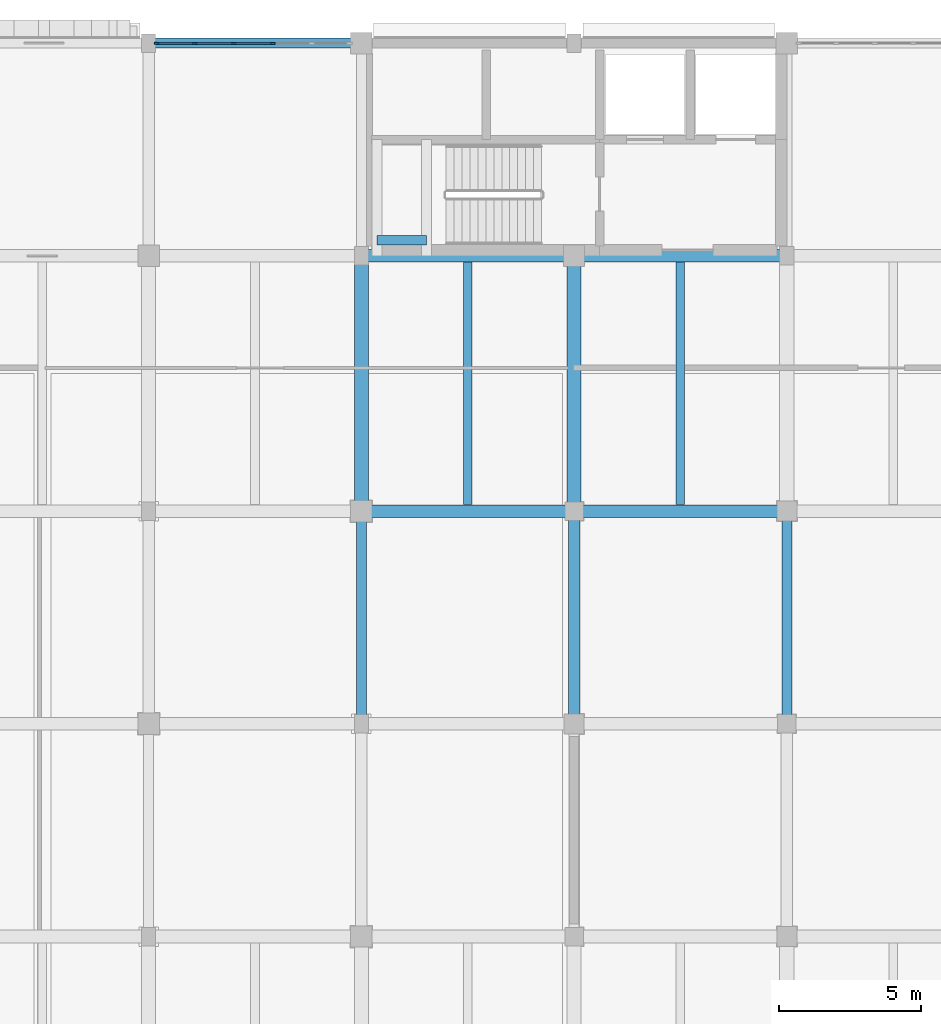
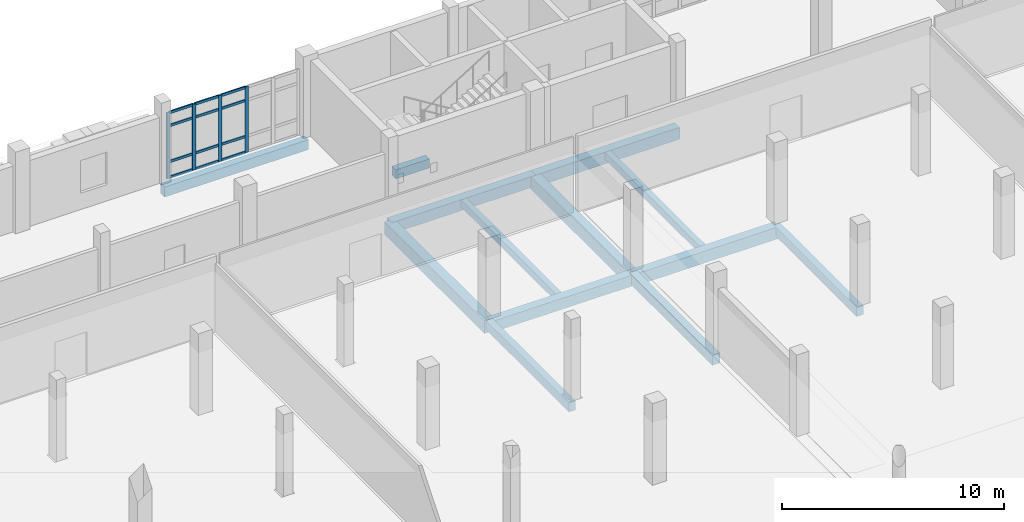
# One storey, part 54 of 128: 16 members, 13 beams, 1 element without a shape of its own.
"""IFC4 building model written with IfcOpenShell, lengths in metres."""

from ifc_helpers import new_model, si_unit, direction, frame, origin, origin_2d, place, context, subcontext, project, spatial, rectangle, extrude, material, layer, layer_set, material_profile, profile_set, type_object, element, aggregate, save


model = new_model("IFC4")

# Units and contexts
model_context = context("Model", 3, precision=1e-05, world=origin(), true_north=direction((0.0, 1.0)))
body_context = subcontext(model_context, "Body", "Model", "MODEL_VIEW")
ifc_project = project(units=[si_unit("LENGTHUNIT", "METRE"), si_unit("AREAUNIT", "SQUARE_METRE"), si_unit("VOLUMEUNIT", "CUBIC_METRE"), si_unit("PLANEANGLEUNIT", "RADIAN"), si_unit("MASSUNIT", "GRAM", prefix="KILO")], contexts=[model_context])

# Site, building, storey
site_placement = place(None, origin())
site = spatial("IfcSite", under=ifc_project, at=site_placement, CompositionType="ELEMENT")
building_placement = place(site_placement, origin())
building = spatial("IfcBuilding", under=site, at=building_placement, Name="Dalvernix Boulevard General Hospital", CompositionType="ELEMENT")
storey_placement = place(building_placement, frame((0.0, 0.0, 4.800048828125)))
storey = spatial("IfcBuildingStorey", under=building, at=storey_placement, Name="L01", CompositionType="ELEMENT", Elevation=4.800048828125)

# Beams
ifc_material_1 = material(Name="Concrete C35/45", Category="concrete")
ifc_material_profile_1 = material_profile(ifc_material_1, rectangle(XDim=0.5, YDim=0.699951171875, at=origin_2d()), Name="RCB 500x700")
ifc_profile_set_1 = profile_set([ifc_material_profile_1], Name="Concrete C35/45")
beam_type_1 = type_object("IfcBeamType", Name="BM-B-01-I", PredefinedType="BEAM", material=ifc_profile_set_1)
for number, where, z_axis, x_axis, name in (
    (1, (97.5, 100.5, -0.650146484375), (0.0, 1.0, 0.0), (-1.0, 0.0, 0.0), "L01 N-S girder 14:P-Q"),
    (2, (105.0, 100.5, -0.650146484375), (0.0, 1.0, 0.0), (-1.0, 0.0, 0.0), "L01 N-S girder 15:P-Q"),
):
    element("IfcBeam", number, at=place(storey_placement, frame(where, z_axis=z_axis, x_axis=x_axis)), inside=storey, type_object=beam_type_1, Name=name, PredefinedType="BEAM", context=body_context, shape_type="SweptSolid", body=[
        extrude(rectangle(XDim=0.5, YDim=0.699951171875, at=origin_2d()), origin(), (0.0, 0.0, 1.0), 9.0),
    ])
ifc_material_profile_2 = material_profile(ifc_material_1, rectangle(XDim=0.449951171875, YDim=0.64990234375, at=origin_2d()), Name="RCB 450x650")
ifc_profile_set_2 = profile_set([ifc_material_profile_2], Name="Concrete C35/45")
beam_type_2 = type_object("IfcBeamType", Name="BM-B-03-I", PredefinedType="BEAM", material=ifc_profile_set_2)
for number, where, z_axis, x_axis, name in (
    (3, (105.0, 100.5, -0.625), (1.0, 0.0, 0.0), (0.0, 1.0, 0.0), "L01 E-W girder P:15-16"),
    (4, (105.0, 109.5, -0.625), (1.0, 0.0, 0.0), (0.0, 1.0, 0.0), "L01 E-W girder Q:15-16"),
):
    element("IfcBeam", number, at=place(storey_placement, frame(where, z_axis=z_axis, x_axis=x_axis)), inside=storey, type_object=beam_type_2, Name=name, PredefinedType="BEAM", context=body_context, shape_type="SweptSolid", body=[
        extrude(rectangle(XDim=0.449951171875, YDim=0.64990234375, at=origin_2d()), origin(), (0.0, 0.0, 1.0), 7.5),
    ])
ifc_material_profile_3 = material_profile(ifc_material_1, rectangle(XDim=0.449951171875, YDim=0.60009765625, at=origin_2d()), Name="RCB 450x600")
ifc_profile_set_3 = profile_set([ifc_material_profile_3], Name="Concrete C35/45")
beam_type_3 = type_object("IfcBeamType", Name="BM-B-04-I", PredefinedType="BEAM", material=ifc_profile_set_3)
for number, where, z_axis, x_axis, name in (
    (5, (97.5, 100.5, -0.60009765625), (1.0, 0.0, 0.0), (0.0, 1.0, 0.0), "L01 E-W girder P:14-15"),
    (6, (97.5, 109.5, -0.60009765625), (1.0, 0.0, 0.0), (0.0, 1.0, 0.0), "L01 E-W girder Q:14-15"),
):
    element("IfcBeam", number, at=place(storey_placement, frame(where, z_axis=z_axis, x_axis=x_axis)), inside=storey, type_object=beam_type_3, Name=name, PredefinedType="BEAM", context=body_context, shape_type="SweptSolid", body=[
        extrude(rectangle(XDim=0.449951171875, YDim=0.60009765625, at=origin_2d()), origin(), (0.0, 0.0, 1.0), 7.5),
    ])
ifc_material_profile_4 = material_profile(ifc_material_1, rectangle(XDim=0.39990234375, YDim=0.550048828125, at=origin_2d()), Name="RCB 400x550")
ifc_profile_set_4 = profile_set([ifc_material_profile_4], Name="Concrete C35/45")
beam_type_4 = type_object("IfcBeamType", Name="BM-B-06-I", PredefinedType="BEAM", material=ifc_profile_set_4)
beam_1_placement = place(storey_placement, frame((105.0, 93.0, -0.574951171875), z_axis=(0.0, 1.0, 0.0), x_axis=(-1.0, 0.0, 0.0)))
element("IfcBeam", 7, at=beam_1_placement, inside=storey, type_object=beam_type_4, Name="L01 N-S girder 15:N-P", PredefinedType="BEAM", context=body_context, shape_type="SweptSolid", body=[
    extrude(rectangle(XDim=0.39990234375, YDim=0.550048828125, at=origin_2d()), origin(), (0.0, 0.0, 1.0), 7.5),
])
ifc_material_profile_5 = material_profile(ifc_material_1, rectangle(XDim=0.35009765625, YDim=0.5, at=origin_2d()), Name="RCB 350x500")
ifc_profile_set_5 = profile_set([ifc_material_profile_5], Name="Concrete C35/45")
beam_type_5 = type_object("IfcBeamType", Name="BM-B-08", PredefinedType="BEAM", material=ifc_profile_set_5)
beam_2_placement = place(storey_placement, frame((98.050048828125, 110.050048828125, 1.800048828125), z_axis=(1.0, 0.0, 0.0), x_axis=(0.0, 1.0, 0.0)))
element("IfcBeam", 8, at=beam_2_placement, inside=storey, type_object=beam_type_5, Name="L01 C4 stair half-landing tie beam", PredefinedType="BEAM", context=body_context, shape_type="SweptSolid", body=[
    extrude(rectangle(XDim=0.35009765625, YDim=0.5, at=origin_2d()), origin(), (0.0, 0.0, 1.0), 1.75),
])
ifc_material_profile_6 = material_profile(ifc_material_1, rectangle(XDim=0.35009765625, YDim=0.5, at=origin_2d()), Name="RCB 350x500")
ifc_profile_set_6 = profile_set([ifc_material_profile_6], Name="Concrete C35/45")
beam_type_6 = type_object("IfcBeamType", Name="BM-B-08-I", PredefinedType="BEAM", material=ifc_profile_set_6)
for number, where, z_axis, x_axis, name in (
    (9, (97.5, 93.0, -0.550048828125), (0.0, 1.0, 0.0), (-1.0, 0.0, 0.0), "L01 N-S girder 14:N-P"),
    (10, (112.5, 93.0, -0.550048828125), (0.0, 1.0, 0.0), (-1.0, 0.0, 0.0), "L01 N-S girder 16:N-P"),
):
    element("IfcBeam", number, at=place(storey_placement, frame(where, z_axis=z_axis, x_axis=x_axis)), inside=storey, type_object=beam_type_6, Name=name, PredefinedType="BEAM", context=body_context, shape_type="SweptSolid", body=[
        extrude(rectangle(XDim=0.35009765625, YDim=0.5, at=origin_2d()), origin(), (0.0, 0.0, 1.0), 7.5),
    ])
ifc_material_profile_7 = material_profile(ifc_material_1, rectangle(XDim=0.300048828125, YDim=0.39990234375, at=origin_2d()), Name="RCB 300x400")
ifc_profile_set_7 = profile_set([ifc_material_profile_7], Name="Concrete C35/45")
beam_type_7 = type_object("IfcBeamType", Name="BM-JB-01", PredefinedType="JOIST", material=ifc_profile_set_7)
for number, where, z_axis, x_axis, name in (
    (11, (101.25, 100.72509765625, -0.5), (0.0, 1.0, 0.0), (-1.0, 0.0, 0.0), "L01 secondary floor beam 14-P"),
    (12, (108.75, 100.72509765625, -0.5), (0.0, 1.0, 0.0), (-1.0, 0.0, 0.0), "L01 secondary floor beam 15-P"),
):
    element("IfcBeam", number, at=place(storey_placement, frame(where, z_axis=z_axis, x_axis=x_axis)), inside=storey, type_object=beam_type_7, Name=name, PredefinedType="JOIST", context=body_context, shape_type="SweptSolid", body=[
        extrude(rectangle(XDim=0.300048828125, YDim=0.39990234375, at=origin_2d()), origin(), (0.0, 0.0, 1.0), 8.5498046875),
    ])
ifc_material_profile_8 = material_profile(ifc_material_1, rectangle(XDim=0.35009765625, YDim=0.550048828125, at=origin_2d()), Name="RCB 350x550")
ifc_profile_set_8 = profile_set([ifc_material_profile_8], Name="Concrete C35/45")
beam_type_8 = type_object("IfcBeamType", Name="BM-SB-01-E", PredefinedType="SPANDREL", material=ifc_profile_set_8)
beam_3_placement = place(storey_placement, frame((90.0, 117.0, -0.574951171875), z_axis=(1.0, 0.0, 0.0), x_axis=(0.0, 1.0, 0.0)))
element("IfcBeam", 13, at=beam_3_placement, inside=storey, type_object=beam_type_8, Name="L01 E-W girder R:13-14", PredefinedType="SPANDREL", context=body_context, shape_type="SweptSolid", body=[
    extrude(rectangle(XDim=0.35009765625, YDim=0.550048828125, at=origin_2d()), origin(), (0.0, 0.0, 1.0), 7.5),
])

# Curtain wall, members
ifc_material_2 = material(Name="Thermally broken aluminium and solar-control glass curtain wall", Category="aluminium")
ifc_layer = layer(ifc_material_2, 0.179931640625)
ifc_layer_set = layer_set([ifc_layer], Name="Thermally broken aluminium and solar-control glass curtain wall (CW-CW-B-69x36)")
curtain_wall_type = type_object("IfcCurtainWallType", Name="CW-CW-B-69x36", PredefinedType="USERDEFINED", material=ifc_layer_set)
curtain_wall_placement = place(storey_placement, origin())
curtain_wall = element("IfcCurtainWall", 14, at=curtain_wall_placement, inside=storey, type_object=curtain_wall_type, Name="L01 curtain wall CW-B-69x36 12-15", ObjectType="GLAZED FACADE", PredefinedType="USERDEFINED")
ifc_material_3 = material(Name="Aluminium EN AW-6060", Category="aluminium")
ifc_material_profile_9 = material_profile(ifc_material_3, rectangle(XDim=0.06494140625, YDim=0.179931640625, at=origin_2d()), Name="ALU MULL 65x180")
ifc_profile_set_9 = profile_set([ifc_material_profile_9], Name="Aluminium EN AW-6060")
member_type_1 = type_object("IfcMemberType", Name="MEM-CW-M2", PredefinedType="MULLION", material=ifc_profile_set_9)
member_1_placement = place(storey_placement, frame((90.29248046875, 117.0, 0.0), z_axis=(0.0, 0.0, 1.0), x_axis=(0.0, 1.0, 0.0)))
member_1 = element("IfcMember", 15, at=member_1_placement, type_object=member_type_1, Name="CW-B-69x36 mullion 1", PredefinedType="MULLION", context=body_context, shape_type="SweptSolid", body=[
    extrude(rectangle(XDim=0.06494140625, YDim=0.179931640625, at=origin_2d()), origin(), (0.0, 0.0, 1.0), 3.6298828125),
])
member_2_placement = place(storey_placement, frame((91.631103515625, 117.0, 0.0), z_axis=(0.0, 0.0, 1.0), x_axis=(0.0, 1.0, 0.0)))
member_2 = element("IfcMember", 16, at=member_2_placement, type_object=member_type_1, Name="CW-B-69x36 mullion 2", PredefinedType="MULLION", context=body_context, shape_type="SweptSolid", body=[
    extrude(rectangle(XDim=0.06494140625, YDim=0.179931640625, at=origin_2d()), origin(), (0.0, 0.0, 1.0), 3.6298828125),
])
member_3_placement = place(storey_placement, frame((93.001953125, 117.0, 0.0), z_axis=(0.0, 0.0, 1.0), x_axis=(0.0, 1.0, 0.0)))
member_3 = element("IfcMember", 17, at=member_3_placement, type_object=member_type_1, Name="CW-B-69x36 mullion 3", PredefinedType="MULLION", context=body_context, shape_type="SweptSolid", body=[
    extrude(rectangle(XDim=0.06494140625, YDim=0.179931640625, at=origin_2d()), origin(), (0.0, 0.0, 1.0), 3.6298828125),
])
member_4_placement = place(storey_placement, frame((94.373046875, 117.0, 0.0), z_axis=(0.0, 0.0, 1.0), x_axis=(0.0, 1.0, 0.0)))
member_4 = element("IfcMember", 18, at=member_4_placement, type_object=member_type_1, Name="CW-B-69x36 mullion 4", PredefinedType="MULLION", context=body_context, shape_type="SweptSolid", body=[
    extrude(rectangle(XDim=0.06494140625, YDim=0.179931640625, at=origin_2d()), origin(), (0.0, 0.0, 1.0), 3.6298828125),
])
ifc_material_profile_10 = material_profile(ifc_material_3, rectangle(XDim=0.06494140625, YDim=0.139892578125, at=origin_2d()), Name="ALU TRAN 65x140")
ifc_profile_set_10 = profile_set([ifc_material_profile_10], Name="Aluminium EN AW-6060")
member_type_2 = type_object("IfcMemberType", Name="MEM-CW-T2", PredefinedType="USERDEFINED", material=ifc_profile_set_10)
member_5_placement = place(storey_placement, frame((90.324951171875, 117.0, 0.032470703125), z_axis=(1.0, 0.0, 0.0), x_axis=(0.0, 1.0, 0.0)))
member_5 = element("IfcMember", 19, at=member_5_placement, type_object=member_type_2, Name="CW-B-69x36 transom 1.1", ObjectType="TRANSOM", PredefinedType="USERDEFINED", context=body_context, shape_type="SweptSolid", body=[
    extrude(rectangle(XDim=0.06494140625, YDim=0.139892578125, at=origin_2d()), origin(), (0.0, 0.0, 1.0), 1.2734375),
])
member_6_placement = place(storey_placement, frame((90.324951171875, 117.0, 0.89990234375), z_axis=(1.0, 0.0, 0.0), x_axis=(0.0, 1.0, 0.0)))
member_6 = element("IfcMember", 20, at=member_6_placement, type_object=member_type_2, Name="CW-B-69x36 transom 1.2", ObjectType="TRANSOM", PredefinedType="USERDEFINED", context=body_context, shape_type="SweptSolid", body=[
    extrude(rectangle(XDim=0.06494140625, YDim=0.139892578125, at=origin_2d()), origin(), (0.0, 0.0, 1.0), 1.2734375),
])
member_7_placement = place(storey_placement, frame((90.324951171875, 117.0, 2.8798828125), z_axis=(1.0, 0.0, 0.0), x_axis=(0.0, 1.0, 0.0)))
member_7 = element("IfcMember", 21, at=member_7_placement, type_object=member_type_2, Name="CW-B-69x36 transom 1.3", ObjectType="TRANSOM", PredefinedType="USERDEFINED", context=body_context, shape_type="SweptSolid", body=[
    extrude(rectangle(XDim=0.06494140625, YDim=0.139892578125, at=origin_2d()), origin(), (0.0, 0.0, 1.0), 1.2734375),
])
member_8_placement = place(storey_placement, frame((90.324951171875, 117.0, 3.597412109375), z_axis=(1.0, 0.0, 0.0), x_axis=(0.0, 1.0, 0.0)))
member_8 = element("IfcMember", 22, at=member_8_placement, type_object=member_type_2, Name="CW-B-69x36 transom 1.4", ObjectType="TRANSOM", PredefinedType="USERDEFINED", context=body_context, shape_type="SweptSolid", body=[
    extrude(rectangle(XDim=0.06494140625, YDim=0.139892578125, at=origin_2d()), origin(), (0.0, 0.0, 1.0), 1.2734375),
])
member_9_placement = place(storey_placement, frame((91.66357421875, 117.0, 0.032470703125), z_axis=(1.0, 0.0, 0.0), x_axis=(0.0, 1.0, 0.0)))
member_9 = element("IfcMember", 23, at=member_9_placement, type_object=member_type_2, Name="CW-B-69x36 transom 2.1", ObjectType="TRANSOM", PredefinedType="USERDEFINED", context=body_context, shape_type="SweptSolid", body=[
    extrude(rectangle(XDim=0.06494140625, YDim=0.139892578125, at=origin_2d()), origin(), (0.0, 0.0, 1.0), 1.305908203125),
])
member_10_placement = place(storey_placement, frame((91.66357421875, 117.0, 0.89990234375), z_axis=(1.0, 0.0, 0.0), x_axis=(0.0, 1.0, 0.0)))
member_10 = element("IfcMember", 24, at=member_10_placement, type_object=member_type_2, Name="CW-B-69x36 transom 2.2", ObjectType="TRANSOM", PredefinedType="USERDEFINED", context=body_context, shape_type="SweptSolid", body=[
    extrude(rectangle(XDim=0.06494140625, YDim=0.139892578125, at=origin_2d()), origin(), (0.0, 0.0, 1.0), 1.305908203125),
])
member_11_placement = place(storey_placement, frame((91.66357421875, 117.0, 2.8798828125), z_axis=(1.0, 0.0, 0.0), x_axis=(0.0, 1.0, 0.0)))
member_11 = element("IfcMember", 25, at=member_11_placement, type_object=member_type_2, Name="CW-B-69x36 transom 2.3", ObjectType="TRANSOM", PredefinedType="USERDEFINED", context=body_context, shape_type="SweptSolid", body=[
    extrude(rectangle(XDim=0.06494140625, YDim=0.139892578125, at=origin_2d()), origin(), (0.0, 0.0, 1.0), 1.305908203125),
])
member_12_placement = place(storey_placement, frame((91.66357421875, 117.0, 3.597412109375), z_axis=(1.0, 0.0, 0.0), x_axis=(0.0, 1.0, 0.0)))
member_12 = element("IfcMember", 26, at=member_12_placement, type_object=member_type_2, Name="CW-B-69x36 transom 2.4", ObjectType="TRANSOM", PredefinedType="USERDEFINED", context=body_context, shape_type="SweptSolid", body=[
    extrude(rectangle(XDim=0.06494140625, YDim=0.139892578125, at=origin_2d()), origin(), (0.0, 0.0, 1.0), 1.305908203125),
])
member_13_placement = place(storey_placement, frame((93.034423828125, 117.0, 0.032470703125), z_axis=(1.0, 0.0, 0.0), x_axis=(0.0, 1.0, 0.0)))
member_13 = element("IfcMember", 27, at=member_13_placement, type_object=member_type_2, Name="CW-B-69x36 transom 3.1", ObjectType="TRANSOM", PredefinedType="USERDEFINED", context=body_context, shape_type="SweptSolid", body=[
    extrude(rectangle(XDim=0.06494140625, YDim=0.139892578125, at=origin_2d()), origin(), (0.0, 0.0, 1.0), 1.30615234375),
])
member_14_placement = place(storey_placement, frame((93.034423828125, 117.0, 0.89990234375), z_axis=(1.0, 0.0, 0.0), x_axis=(0.0, 1.0, 0.0)))
member_14 = element("IfcMember", 28, at=member_14_placement, type_object=member_type_2, Name="CW-B-69x36 transom 3.2", ObjectType="TRANSOM", PredefinedType="USERDEFINED", context=body_context, shape_type="SweptSolid", body=[
    extrude(rectangle(XDim=0.06494140625, YDim=0.139892578125, at=origin_2d()), origin(), (0.0, 0.0, 1.0), 1.30615234375),
])
member_15_placement = place(storey_placement, frame((93.034423828125, 117.0, 2.8798828125), z_axis=(1.0, 0.0, 0.0), x_axis=(0.0, 1.0, 0.0)))
member_15 = element("IfcMember", 29, at=member_15_placement, type_object=member_type_2, Name="CW-B-69x36 transom 3.3", ObjectType="TRANSOM", PredefinedType="USERDEFINED", context=body_context, shape_type="SweptSolid", body=[
    extrude(rectangle(XDim=0.06494140625, YDim=0.139892578125, at=origin_2d()), origin(), (0.0, 0.0, 1.0), 1.30615234375),
])
member_16_placement = place(storey_placement, frame((93.034423828125, 117.0, 3.597412109375), z_axis=(1.0, 0.0, 0.0), x_axis=(0.0, 1.0, 0.0)))
member_16 = element("IfcMember", 30, at=member_16_placement, type_object=member_type_2, Name="CW-B-69x36 transom 3.4", ObjectType="TRANSOM", PredefinedType="USERDEFINED", context=body_context, shape_type="SweptSolid", body=[
    extrude(rectangle(XDim=0.06494140625, YDim=0.139892578125, at=origin_2d()), origin(), (0.0, 0.0, 1.0), 1.30615234375),
])
aggregate(curtain_wall, [member_1, member_2, member_3, member_4, member_5, member_6, member_7, member_8, member_9, member_10, member_11, member_12, member_13, member_14, member_15, member_16])

save(model, "model.ifc")
